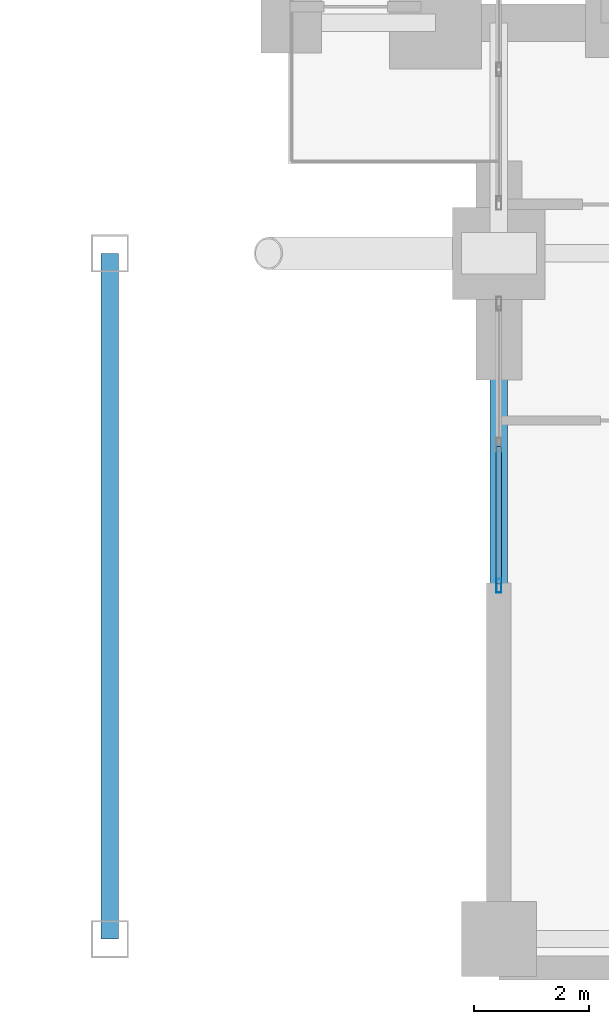
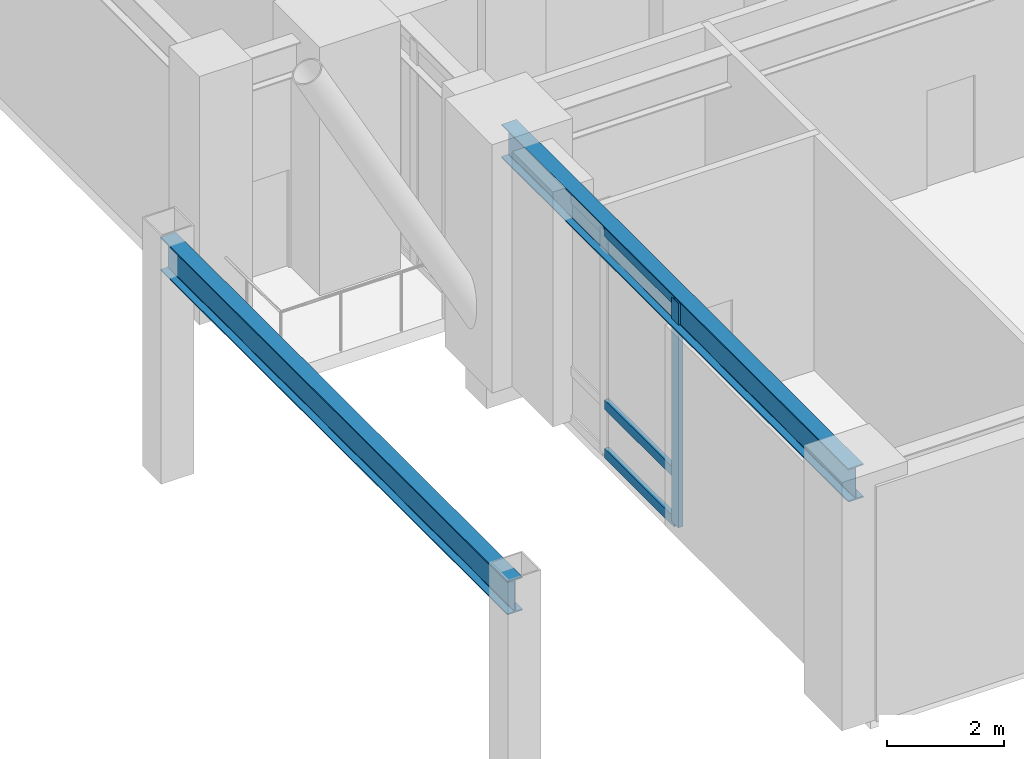
# One storey, part 6 of 27: 4 members, 2 beams, 1 element without a shape of its own.
"""IFC4 building model written with IfcOpenShell, lengths in metres."""

from ifc_helpers import new_model, si_unit, direction, frame, origin, origin_2d, place, context, subcontext, project, spatial, hollow_rectangle, i_section, extrude, material, layer, layer_set, material_profile, profile_set, type_object, element, aggregate, save


model = new_model("IFC4")

# Units and contexts
model_context = context("Model", 3, precision=1e-05, world=origin(), true_north=direction((0.0, 1.0)))
body_context = subcontext(model_context, "Body", "Model", "MODEL_VIEW")
ifc_project = project(units=[si_unit("LENGTHUNIT", "METRE"), si_unit("AREAUNIT", "SQUARE_METRE"), si_unit("VOLUMEUNIT", "CUBIC_METRE"), si_unit("PLANEANGLEUNIT", "RADIAN"), si_unit("MASSUNIT", "GRAM", prefix="KILO")], contexts=[model_context])

# Site, building, storey
site_placement = place(None, origin())
site = spatial("IfcSite", under=ifc_project, at=site_placement, CompositionType="ELEMENT")
building_placement = place(site_placement, origin())
building = spatial("IfcBuilding", under=site, at=building_placement, Name="Voryun Gate Residences", CompositionType="ELEMENT")
storey_placement = place(building_placement, frame((0.0, 0.0, 5.199951171875)))
storey = spatial("IfcBuildingStorey", under=building, at=storey_placement, Name="L01", CompositionType="ELEMENT", Elevation=5.199951171875)

# Beams
ifc_material_1 = material(Name="Steel SM355", Category="steel")
ifc_material_profile_1 = material_profile(ifc_material_1, i_section(OverallWidth=0.300048828125, OverallDepth=0.699951171875, WebThickness=0.012939453125, FlangeThickness=0.02392578125, FilletRadius=0.01806640625, at=origin_2d()), Name="H-700x300x13x24")
ifc_profile_set_1 = profile_set([ifc_material_profile_1], Name="Steel SM355")
beam_type = type_object("IfcBeamType", Name="BM_GIRD_700", PredefinedType="USERDEFINED", material=ifc_profile_set_1)
for number, where, z_axis, x_axis, name in (
    (1, (13.5, -23.300048828125, 4.570068359375), (0.0, 1.0, 0.0), (-1.0, 0.0, 0.0), "BM-L01-PEYA--23.3"),
    (2, (6.75, -23.300048828125, 4.570068359375), (0.0, 1.0, 0.0), (-1.0, 0.0, 0.0), "BM-L01-APY-S-+6.75"),
):
    element("IfcBeam", number, at=place(storey_placement, frame(where, z_axis=z_axis, x_axis=x_axis)), inside=storey, type_object=beam_type, Name=name, ObjectType="GIRDER", PredefinedType="USERDEFINED", context=body_context, shape_type="SweptSolid", body=[
        extrude(i_section(OverallWidth=0.300048828125, OverallDepth=0.699951171875, WebThickness=0.012939453125, FlangeThickness=0.02392578125, FilletRadius=0.01806640625, at=origin_2d()), origin(), (0.0, 0.0, 1.0), 11.900146484375),
    ])

# Curtain wall, members
ifc_material_2 = material(Name="Anodised aluminium", Category="aluminium")
ifc_layer = layer(ifc_material_2, 0.239990234375, Name="CW_SYS_ARCH_DARK_GLASS")
ifc_layer_set = layer_set([ifc_layer], Name="Anodised aluminium")
curtain_wall_type = type_object("IfcCurtainWallType", Name="CW_SYS_ARCH_DARK_GLASS", PredefinedType="NOTDEFINED", material=ifc_layer_set)
curtain_wall_placement = place(storey_placement, origin())
curtain_wall = element("IfcCurtainWall", 3, at=curtain_wall_placement, inside=storey, type_object=curtain_wall_type, Name="Curtain wall CW2-L01-EP-S", PredefinedType="NOTDEFINED")
ifc_material_3 = material(Name="Anodised aluminium", Category="aluminium")
ifc_material_profile_2 = material_profile(ifc_material_3, hollow_rectangle(XDim=0.090087890625, YDim=0.239990234375, WallThickness=0.006103515625, at=origin_2d()), Name="ALU-MULL-240x90x6")
ifc_profile_set_2 = profile_set([ifc_material_profile_2], Name="Anodised aluminium")
member_type_1 = type_object("IfcMemberType", Name="CW_MULL_ARCH", PredefinedType="MULLION", material=ifc_profile_set_2)
member_1_placement = place(storey_placement, frame((13.5, -17.169921875, 0.0), z_axis=(0.0, 0.0, 1.0), x_axis=(-1.0, 0.0, 0.0)))
member_1 = element("IfcMember", 4, at=member_1_placement, type_object=member_type_1, Name="CW2 mullion 1", PredefinedType="MULLION", context=body_context, shape_type="SweptSolid", body=[
    extrude(hollow_rectangle(XDim=0.090087890625, YDim=0.239990234375, WallThickness=0.006103515625, at=origin_2d()), origin(), (0.0, 0.0, 1.0), 4.699951171875),
])
ifc_material_4 = material(Name="Anodised aluminium", Category="aluminium")
ifc_material_profile_3 = material_profile(ifc_material_4, hollow_rectangle(XDim=0.090087890625, YDim=0.199951171875, WallThickness=0.006103515625, at=origin_2d()), Name="ALU-TRAN-200x90x6")
ifc_profile_set_3 = profile_set([ifc_material_profile_3], Name="Anodised aluminium")
member_type_2 = type_object("IfcMemberType", Name="CW_TRAN_ARCH", PredefinedType="USERDEFINED", material=ifc_profile_set_3)
member_2_placement = place(storey_placement, frame((13.5, -17.139892578125, 0.030029296875), z_axis=(0.0, 1.0, 0.0), x_axis=(-1.0, 0.0, 0.0)))
member_2 = element("IfcMember", 5, at=member_2_placement, type_object=member_type_2, Name="CW2 transom 1.1", ObjectType="TRANSOM", PredefinedType="USERDEFINED", context=body_context, shape_type="SweptSolid", body=[
    extrude(hollow_rectangle(XDim=0.090087890625, YDim=0.199951171875, WallThickness=0.006103515625, at=origin_2d()), origin(), (0.0, 0.0, 1.0), 2.387451171875),
])
member_3_placement = place(storey_placement, frame((13.5, -17.139892578125, 1.050048828125), z_axis=(0.0, 1.0, 0.0), x_axis=(-1.0, 0.0, 0.0)))
member_3 = element("IfcMember", 6, at=member_3_placement, type_object=member_type_2, Name="CW2 transom 1.2", ObjectType="TRANSOM", PredefinedType="USERDEFINED", context=body_context, shape_type="SweptSolid", body=[
    extrude(hollow_rectangle(XDim=0.090087890625, YDim=0.199951171875, WallThickness=0.006103515625, at=origin_2d()), origin(), (0.0, 0.0, 1.0), 2.387451171875),
])
member_4_placement = place(storey_placement, frame((13.5, -17.139892578125, 4.670166015625), z_axis=(0.0, 1.0, 0.0), x_axis=(-1.0, 0.0, 0.0)))
member_4 = element("IfcMember", 7, at=member_4_placement, type_object=member_type_2, Name="CW2 transom 1.3", ObjectType="TRANSOM", PredefinedType="USERDEFINED", context=body_context, shape_type="SweptSolid", body=[
    extrude(hollow_rectangle(XDim=0.090087890625, YDim=0.199951171875, WallThickness=0.006103515625, at=origin_2d()), origin(), (0.0, 0.0, 1.0), 2.387451171875),
])
aggregate(curtain_wall, [member_1, member_2, member_3, member_4])

save(model, "model.ifc")
